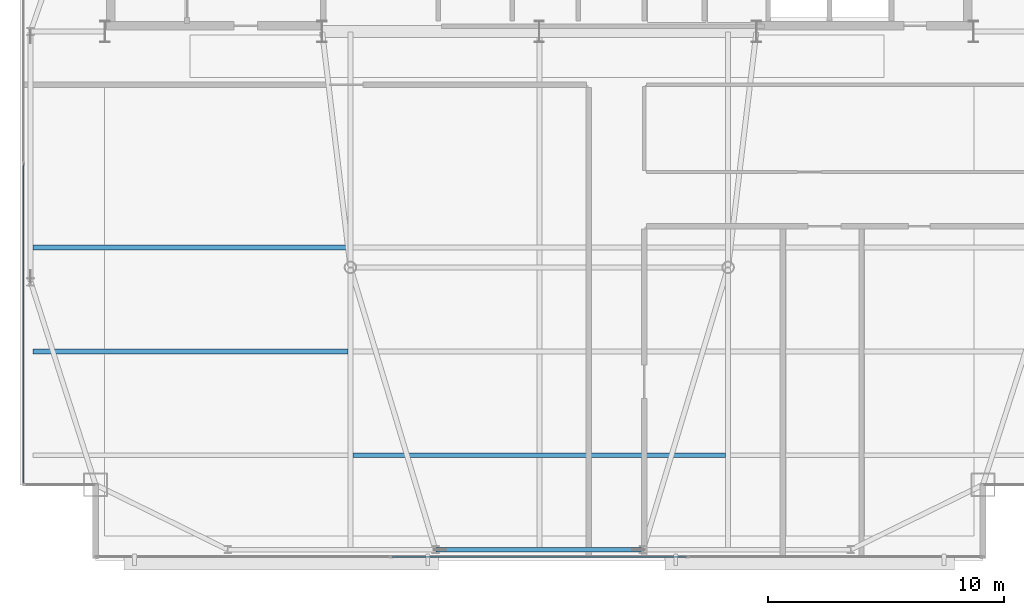
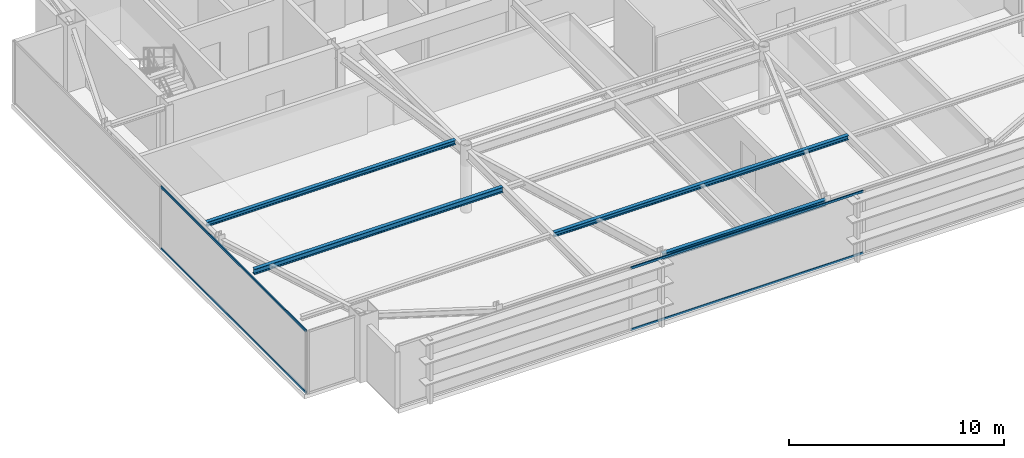
# One storey, part 7 of 24: 4 beams, 4 members, 2 elements without a shape of their own.
"""IFC4 building model written with IfcOpenShell, lengths in metres."""

from ifc_helpers import new_model, si_unit, direction, frame, origin, origin_2d, place, context, subcontext, project, spatial, hollow_rectangle, i_section, extrude, source, transform, mapped, material, layer, layer_set, material_profile, profile_set, type_object, type_shapes, element, aggregate, save


model = new_model("IFC4")

# Units and contexts
model_context = context("Model", 3, precision=1e-05, world=origin(), true_north=direction((0.0, 1.0)))
body_context = subcontext(model_context, "Body", "Model", "MODEL_VIEW")
ifc_project = project(units=[si_unit("LENGTHUNIT", "METRE"), si_unit("AREAUNIT", "SQUARE_METRE"), si_unit("VOLUMEUNIT", "CUBIC_METRE"), si_unit("PLANEANGLEUNIT", "RADIAN"), si_unit("MASSUNIT", "GRAM", prefix="KILO")], contexts=[model_context])

# Site, building, storey
site_placement = place(None, origin())
site = spatial("IfcSite", under=ifc_project, at=site_placement, CompositionType="ELEMENT")
building_placement = place(site_placement, origin())
building = spatial("IfcBuilding", under=site, at=building_placement, Name="Varnel Quay Broadcast Tower", CompositionType="ELEMENT")
storey_placement = place(building_placement, frame((0.0, 0.0, 285.0)))
storey = spatial("IfcBuildingStorey", under=building, at=storey_placement, Name="L71", CompositionType="ELEMENT", Elevation=285.0)

# Beams
ifc_material_1 = material(Name="Structural Steel CSA G40.21 350W", Category="steel")
ifc_material_profile_1 = material_profile(ifc_material_1, i_section(OverallWidth=0.205078125, OverallDepth=0.35400390625, WebThickness=0.009521484375, FlangeThickness=0.016845703125, FilletRadius=0.012939453125, at=origin_2d()), Name="W360X79")
ifc_profile_set_1 = profile_set([ifc_material_profile_1], Name="Structural Steel CSA G40.21 350W")
beam_type_1 = type_object("IfcBeamType", Name="Beam_W360X79", PredefinedType="SPANDREL", material=ifc_profile_set_1)
shared_shape_1 = source(origin(), body_context, "Body", "SweptSolid", [
    extrude(i_section(OverallWidth=0.205078125, OverallDepth=0.35400390625, WebThickness=0.009521484375, FlangeThickness=0.016845703125, FilletRadius=0.012939453125, at=origin_2d()), origin(), (0.0, 0.0, 1.0), 8.759765625),
])
type_shapes(beam_type_1, [shared_shape_1])
beam_1_placement = place(storey_placement, frame((29.6201171875, 13.64990234375, 3.373046875), z_axis=(1.0, 0.0, 0.0), x_axis=(0.0, 1.0, 0.0)))
element("IfcBeam", 1, at=beam_1_placement, inside=storey, type_object=beam_type_1, Name="L71 South Spandrel TC-S2-TC-S3", PredefinedType="SPANDREL", context=body_context, shape_type="MappedRepresentation", body=[
    mapped(shared_shape_1, transform((0.0, 0.0, 0.0), x_axis=(1.0, 0.0, 0.0), y_axis=(0.0, 1.0, 0.0), z_axis=(0.0, 0.0, 1.0), scale=1.0)),
])
ifc_material_profile_2 = material_profile(ifc_material_1, i_section(OverallWidth=0.201904296875, OverallDepth=0.2470703125, WebThickness=0.00732421875, FlangeThickness=0.010986328125, FilletRadius=0.010986328125, at=origin_2d()), Name="W250X49")
ifc_profile_set_2 = profile_set([ifc_material_profile_2], Name="Structural Steel CSA G40.21 350W")
beam_type_2 = type_object("IfcBeamType", Name="Beam_W250X49", PredefinedType="JOIST", material=ifc_profile_set_2)
shared_shape_2 = source(origin(), body_context, "Body", "SweptSolid", [
    extrude(i_section(OverallWidth=0.201904296875, OverallDepth=0.2470703125, WebThickness=0.00732421875, FlangeThickness=0.010986328125, FilletRadius=0.010986328125, at=origin_2d()), origin(), (0.0, 0.0, 1.0), 13.351318359375),
])
beam_2_placement = place(storey_placement, frame((12.547607421875, 26.449951171875, 3.426513671875), z_axis=(1.0, 0.0, 0.0), x_axis=(0.0, 1.0, 0.0)))
element("IfcBeam", 2, at=beam_2_placement, inside=storey, type_object=beam_type_2, Name="L71 West Floor Joist 3", PredefinedType="JOIST", context=body_context, shape_type="MappedRepresentation", body=[
    mapped(shared_shape_2, transform((0.0, 0.0, 0.0), x_axis=(1.0, 0.0, 0.0), y_axis=(0.0, 1.0, 0.0), z_axis=(0.0, 0.0, 1.0), scale=1.0)),
])
shared_shape_3 = source(origin(), body_context, "Body", "SweptSolid", [
    extrude(i_section(OverallWidth=0.201904296875, OverallDepth=0.2470703125, WebThickness=0.00732421875, FlangeThickness=0.010986328125, FilletRadius=0.010986328125, at=origin_2d()), origin(), (0.0, 0.0, 1.0), 15.7978515625),
])
type_shapes(beam_type_2, [shared_shape_2, shared_shape_3])
beam_3_placement = place(storey_placement, frame((26.10107421875, 17.64990234375, 3.426513671875), z_axis=(1.0, 0.0, 0.0), x_axis=(0.0, 1.0, 0.0)))
element("IfcBeam", 3, at=beam_3_placement, inside=storey, type_object=beam_type_2, Name="L71 Central Floor Joist 1", PredefinedType="JOIST", context=body_context, shape_type="MappedRepresentation", body=[
    mapped(shared_shape_3, transform((0.0, 0.0, 0.0), x_axis=(1.0, 0.0, 0.0), y_axis=(0.0, 1.0, 0.0), z_axis=(0.0, 0.0, 1.0), scale=1.0)),
])
ifc_material_profile_3 = material_profile(ifc_material_1, i_section(OverallWidth=0.202880859375, OverallDepth=0.302978515625, WebThickness=0.007568359375, FlangeThickness=0.01318359375, FilletRadius=0.011962890625, at=origin_2d()), Name="W310X60")
ifc_profile_set_3 = profile_set([ifc_material_profile_3], Name="Structural Steel CSA G40.21 350W")
beam_type_3 = type_object("IfcBeamType", Name="Beam_W310X60", PredefinedType="JOIST", material=ifc_profile_set_3)
shared_shape_4 = source(origin(), body_context, "Body", "SweptSolid", [
    extrude(i_section(OverallWidth=0.202880859375, OverallDepth=0.302978515625, WebThickness=0.007568359375, FlangeThickness=0.01318359375, FilletRadius=0.011962890625, at=origin_2d()), origin(), (0.0, 0.0, 1.0), 13.351318359375),
])
type_shapes(beam_type_3, [shared_shape_4])
beam_4_placement = place(storey_placement, frame((12.547607421875, 22.050048828125, 3.3984375), z_axis=(1.0, 0.0, 0.0), x_axis=(0.0, 1.0, 0.0)))
element("IfcBeam", 4, at=beam_4_placement, inside=storey, type_object=beam_type_3, Name="L71 West Floor Joist 2", PredefinedType="JOIST", context=body_context, shape_type="MappedRepresentation", body=[
    mapped(shared_shape_4, transform((0.0, 0.0, 0.0), x_axis=(1.0, 0.0, 0.0), y_axis=(0.0, 1.0, 0.0), z_axis=(0.0, 0.0, 1.0), scale=1.0)),
])

# Curtain wall, members
ifc_material_2 = material(Name="Anodised Bronze Aluminium 6063-T6", Category="aluminium")
ifc_layer = layer(ifc_material_2, 0.18994140625, Name="Anodised Bronze Aluminium 6063-T6")
ifc_layer_set = layer_set([ifc_layer], Name="Anodised Bronze Aluminium 6063-T6")
curtain_wall_type = type_object("IfcCurtainWallType", Name="CW_UpperTower", PredefinedType="NOTDEFINED", material=ifc_layer_set)
curtain_wall_1_placement = place(storey_placement, origin())
curtain_wall_1 = element("IfcCurtainWall", 5, at=curtain_wall_1_placement, inside=storey, type_object=curtain_wall_type, Name="L71 West Unitised Curtain Wall", PredefinedType="NOTDEFINED")
ifc_material_profile_4 = material_profile(ifc_material_2, hollow_rectangle(XDim=0.06005859375, YDim=0.125, WallThickness=0.0029296875, at=origin_2d()), Name="ALU60X125X3")
ifc_profile_set_4 = profile_set([ifc_material_profile_4], Name="Anodised Bronze Aluminium 6063-T6")
member_type = type_object("IfcMemberType", Name="Tran_CWS-03", PredefinedType="USERDEFINED", material=ifc_profile_set_4)
shared_shape_5 = source(origin(), body_context, "Body", "SweptSolid", [
    extrude(hollow_rectangle(XDim=0.06005859375, YDim=0.125, WallThickness=0.0029296875, at=origin_2d()), origin(), (0.0, 0.0, 1.0), 13.50244140625),
])
member_1_placement = place(storey_placement, frame((12.14990234375, 16.465087890625, 0.030029296875), z_axis=(0.0, 1.0, 0.0), x_axis=(-1.0, 0.0, 0.0)))
member_1 = element("IfcMember", 6, at=member_1_placement, type_object=member_type, Name="CWS-03 transom 1.1", ObjectType="TRANSOM", PredefinedType="USERDEFINED", context=body_context, shape_type="MappedRepresentation", body=[
    mapped(shared_shape_5, transform((0.0, 0.0, 0.0), x_axis=(1.0, 0.0, 0.0), y_axis=(0.0, 1.0, 0.0), z_axis=(0.0, 0.0, 1.0), scale=1.0)),
])
member_2_placement = place(storey_placement, frame((12.14990234375, 16.465087890625, 3.52001953125), z_axis=(0.0, 1.0, 0.0), x_axis=(-1.0, 0.0, 0.0)))
member_2 = element("IfcMember", 7, at=member_2_placement, type_object=member_type, Name="CWS-03 transom 1.2", ObjectType="TRANSOM", PredefinedType="USERDEFINED", context=body_context, shape_type="MappedRepresentation", body=[
    mapped(shared_shape_5, transform((0.0, 0.0, 0.0), x_axis=(1.0, 0.0, 0.0), y_axis=(0.0, 1.0, 0.0), z_axis=(0.0, 0.0, 1.0), scale=1.0)),
])
aggregate(curtain_wall_1, [member_1, member_2])

curtain_wall_2_placement = place(storey_placement, origin())
curtain_wall_2 = element("IfcCurtainWall", 8, at=curtain_wall_2_placement, inside=storey, type_object=curtain_wall_type, Name="L71 South Unitised Curtain Wall 1", PredefinedType="NOTDEFINED")
shared_shape_6 = source(origin(), body_context, "Body", "SweptSolid", [
    extrude(hollow_rectangle(XDim=0.06005859375, YDim=0.125, WallThickness=0.0029296875, at=origin_2d()), origin(), (0.0, 0.0, 1.0), 12.46826171875),
])
type_shapes(member_type, [shared_shape_5, shared_shape_6])
member_3_placement = place(storey_placement, frame((27.765869140625, 13.35009765625, 0.030029296875), z_axis=(1.0, 0.0, 0.0), x_axis=(0.0, 1.0, 0.0)))
member_3 = element("IfcMember", 9, at=member_3_placement, type_object=member_type, Name="CWS-03 transom 2.1", ObjectType="TRANSOM", PredefinedType="USERDEFINED", context=body_context, shape_type="MappedRepresentation", body=[
    mapped(shared_shape_6, transform((0.0, 0.0, 0.0), x_axis=(1.0, 0.0, 0.0), y_axis=(0.0, 1.0, 0.0), z_axis=(0.0, 0.0, 1.0), scale=1.0)),
])
member_4_placement = place(storey_placement, frame((27.765869140625, 13.35009765625, 3.52001953125), z_axis=(1.0, 0.0, 0.0), x_axis=(0.0, 1.0, 0.0)))
member_4 = element("IfcMember", 10, at=member_4_placement, type_object=member_type, Name="CWS-03 transom 2.2", ObjectType="TRANSOM", PredefinedType="USERDEFINED", context=body_context, shape_type="MappedRepresentation", body=[
    mapped(shared_shape_6, transform((0.0, 0.0, 0.0), x_axis=(1.0, 0.0, 0.0), y_axis=(0.0, 1.0, 0.0), z_axis=(0.0, 0.0, 1.0), scale=1.0)),
])
aggregate(curtain_wall_2, [member_3, member_4])

save(model, "model.ifc")
